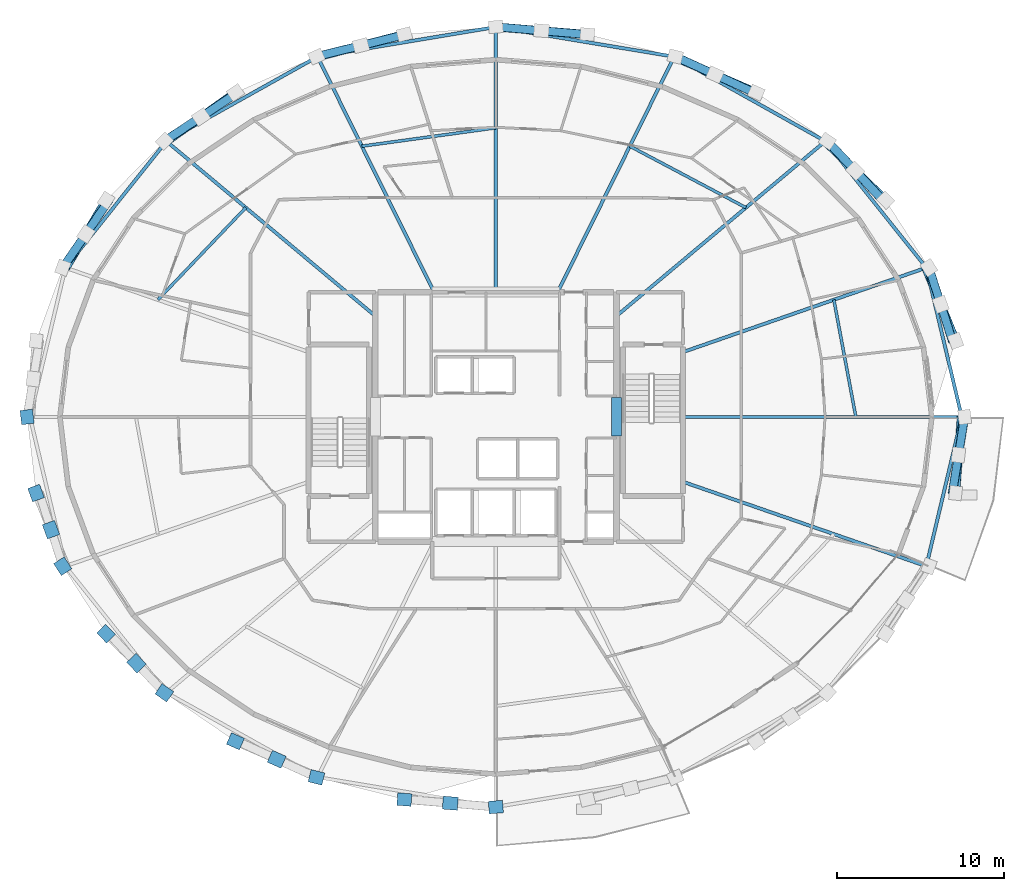
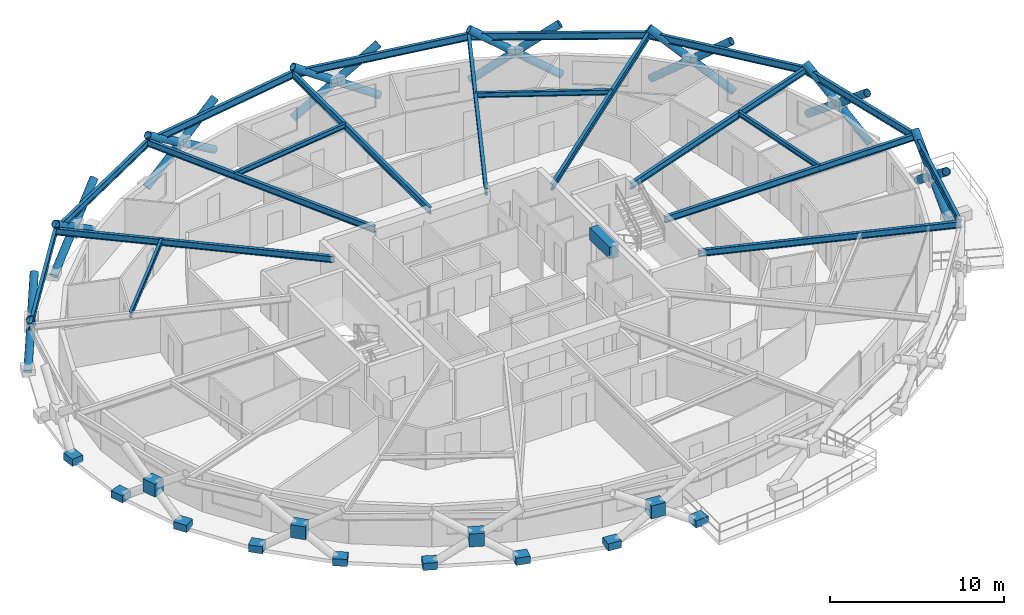
# One storey, part 8 of 16: 24 members, 21 beams, 13 plates.
"""IFC4 building model written with IfcOpenShell, lengths in metres."""

from ifc_helpers import new_model, si_unit, direction, frame, origin, origin_2d, place, context, subcontext, project, spatial, rectangle, hollow_circle, i_section, extrude, material, layer, layer_set, material_profile, profile_set, type_object, element, save


model = new_model("IFC4")

# Units and contexts
model_context = context("Model", 3, precision=1e-05, world=origin(), true_north=direction((0.0, 1.0)))
body_context = subcontext(model_context, "Body", "Model", "MODEL_VIEW")
ifc_project = project(units=[si_unit("LENGTHUNIT", "METRE"), si_unit("AREAUNIT", "SQUARE_METRE"), si_unit("VOLUMEUNIT", "CUBIC_METRE"), si_unit("PLANEANGLEUNIT", "RADIAN"), si_unit("MASSUNIT", "GRAM", prefix="KILO")], contexts=[model_context])

# Site, building, storey
site_placement = place(None, origin())
site = spatial("IfcSite", under=ifc_project, at=site_placement, CompositionType="ELEMENT")
building_placement = place(site_placement, origin())
building = spatial("IfcBuilding", under=site, at=building_placement, Name="Veldorina Hangang Commons", CompositionType="ELEMENT")
storey_placement = place(building_placement, frame((0.0, 0.0, 174.800048828125)))
storey = spatial("IfcBuildingStorey", under=building, at=storey_placement, Name="L45", CompositionType="ELEMENT", Elevation=174.800048828125)

# Beams
ifc_material_1 = material(Name="Concrete C60/75", Category="concrete")
ifc_material_profile_1 = material_profile(ifc_material_1, rectangle(XDim=0.60009765625, YDim=0.85009765625, at=origin_2d()), Name="RC-CB-600x850")
ifc_profile_set_1 = profile_set([ifc_material_profile_1], Name="Concrete C60/75")
beam_type_1 = type_object("IfcBeamType", Name="BM-CB850", PredefinedType="LINTEL", material=ifc_profile_set_1)
beam_1_placement = place(storey_placement, frame((39.199951171875, 22.85009765625, 2.925048828125), z_axis=(0.0, 1.0, 0.0), x_axis=(-1.0, 0.0, 0.0)))
element("IfcBeam", 1, at=beam_1_placement, inside=storey, type_object=beam_type_1, Name="L45 E core coupling lintel beam", PredefinedType="LINTEL", context=body_context, shape_type="SweptSolid", body=[
    extrude(rectangle(XDim=0.60009765625, YDim=0.85009765625, at=origin_2d()), origin(), (0.0, 0.0, 1.0), 2.2998046875),
])
ifc_material_2 = material(Name="Steel SM355-TMC", Category="steel")
ifc_material_profile_2 = material_profile(ifc_material_2, i_section(OverallWidth=0.199951171875, OverallDepth=0.449951171875, WebThickness=0.009033203125, FlangeThickness=0.013916015625, FilletRadius=0.01611328125, at=origin_2d()), Name="H-450x200x9x14")
ifc_profile_set_2 = profile_set([ifc_material_profile_2], Name="Steel SM355-TMC")
beam_type_2 = type_object("IfcBeamType", Name="BM-FG450", PredefinedType="BEAM", material=ifc_profile_set_2)
beam_2_placement = place(storey_placement, frame((43.179931640625, 24.0, 3.125), z_axis=(1.0, 0.0, 0.0), x_axis=(0.0, 1.0, 0.0)))
element("IfcBeam", 2, at=beam_2_placement, inside=storey, type_object=beam_type_2, Name="L45 radial floor girder 01", PredefinedType="BEAM", context=body_context, shape_type="SweptSolid", body=[
    extrude(i_section(OverallWidth=0.199951171875, OverallDepth=0.449951171875, WebThickness=0.009033203125, FlangeThickness=0.013916015625, FilletRadius=0.01611328125, at=origin_2d()), origin(), (0.0, 0.0, 1.0), 16.6474609375),
])
beam_3_placement = place(storey_placement, frame((43.179931640625, 27.875732421875, 3.125), z_axis=(0.944833643495, 0.327550585588, 0.0), x_axis=(-0.327550585588, 0.944833643495, 0.0)))
element("IfcBeam", 3, at=beam_3_placement, inside=storey, type_object=beam_type_2, Name="L45 radial floor girder 02", PredefinedType="BEAM", context=body_context, shape_type="SweptSolid", body=[
    extrude(i_section(OverallWidth=0.199951171875, OverallDepth=0.449951171875, WebThickness=0.009033203125, FlangeThickness=0.013916015625, FilletRadius=0.01611328125, at=origin_2d()), origin(), (0.0, 0.0, 1.0), 15.37744140625),
])
beam_4_placement = place(storey_placement, frame((39.199951171875, 30.02587890625, 3.125), z_axis=(0.766864155204, 0.641809447939, 0.0), x_axis=(-0.641809447939, 0.766864155204, 0.0)))
element("IfcBeam", 4, at=beam_4_placement, inside=storey, type_object=beam_type_2, Name="L45 radial floor girder 03", PredefinedType="BEAM", context=body_context, shape_type="SweptSolid", body=[
    extrude(i_section(OverallWidth=0.199951171875, OverallDepth=0.449951171875, WebThickness=0.009033203125, FlangeThickness=0.013916015625, FilletRadius=0.01611328125, at=origin_2d()), origin(), (0.0, 0.0, 1.0), 16.270263671875),
])
beam_5_placement = place(storey_placement, frame((35.687255859375, 31.449951171875, 3.125), z_axis=(0.44356380888, 0.896242794923, 0.0), x_axis=(-0.896242794923, 0.44356380888, 0.0)))
element("IfcBeam", 5, at=beam_5_placement, inside=storey, type_object=beam_type_2, Name="L45 radial floor girder 04", PredefinedType="BEAM", context=body_context, shape_type="SweptSolid", body=[
    extrude(i_section(OverallWidth=0.199951171875, OverallDepth=0.449951171875, WebThickness=0.009033203125, FlangeThickness=0.013916015625, FilletRadius=0.01611328125, at=origin_2d()), origin(), (0.0, 0.0, 1.0), 15.6953125),
])
beam_6_placement = place(storey_placement, frame((32.0, 31.449951171875, 3.125), z_axis=(0.0, 1.0, 0.0), x_axis=(-1.0, 0.0, 0.0)))
element("IfcBeam", 6, at=beam_6_placement, inside=storey, type_object=beam_type_2, Name="L45 radial floor girder 05", PredefinedType="BEAM", context=body_context, shape_type="SweptSolid", body=[
    extrude(i_section(OverallWidth=0.199951171875, OverallDepth=0.449951171875, WebThickness=0.009033203125, FlangeThickness=0.013916015625, FilletRadius=0.01611328125, at=origin_2d()), origin(), (0.0, 0.0, 1.0), 15.839599609375),
])
beam_7_placement = place(storey_placement, frame((28.312744140625, 31.449951171875, 3.125), z_axis=(-0.44356380888, 0.896242794923, 0.0), x_axis=(-0.896242794923, -0.44356380888, 0.0)))
element("IfcBeam", 7, at=beam_7_placement, inside=storey, type_object=beam_type_2, Name="L45 radial floor girder 06", PredefinedType="BEAM", context=body_context, shape_type="SweptSolid", body=[
    extrude(i_section(OverallWidth=0.199951171875, OverallDepth=0.449951171875, WebThickness=0.009033203125, FlangeThickness=0.013916015625, FilletRadius=0.01611328125, at=origin_2d()), origin(), (0.0, 0.0, 1.0), 15.6953125),
])
beam_8_placement = place(storey_placement, frame((24.800048828125, 30.02587890625, 3.125), z_axis=(-0.766864155204, 0.641809447939, 0.0), x_axis=(-0.641809447939, -0.766864155204, 0.0)))
element("IfcBeam", 8, at=beam_8_placement, inside=storey, type_object=beam_type_2, Name="L45 radial floor girder 07", PredefinedType="BEAM", context=body_context, shape_type="SweptSolid", body=[
    extrude(i_section(OverallWidth=0.199951171875, OverallDepth=0.449951171875, WebThickness=0.009033203125, FlangeThickness=0.013916015625, FilletRadius=0.01611328125, at=origin_2d()), origin(), (0.0, 0.0, 1.0), 16.270263671875),
])
beam_9_placement = place(storey_placement, frame((43.179931640625, 20.124267578125, 3.125), z_axis=(0.944833643495, -0.327550585588, 0.0), x_axis=(0.327550585588, 0.944833643495, 0.0)))
element("IfcBeam", 9, at=beam_9_placement, inside=storey, type_object=beam_type_2, Name="L45 radial floor girder 16", PredefinedType="BEAM", context=body_context, shape_type="SweptSolid", body=[
    extrude(i_section(OverallWidth=0.199951171875, OverallDepth=0.449951171875, WebThickness=0.009033203125, FlangeThickness=0.013916015625, FilletRadius=0.01611328125, at=origin_2d()), origin(), (0.0, 0.0, 1.0), 15.37744140625),
])
ifc_material_profile_3 = material_profile(ifc_material_2, i_section(OverallWidth=0.175048828125, OverallDepth=0.35009765625, WebThickness=0.007080078125, FlangeThickness=0.010986328125, FilletRadius=0.012939453125, at=origin_2d()), Name="H-350x175x7x11")
ifc_profile_set_3 = profile_set([ifc_material_profile_3], Name="Steel SM355-TMC")
beam_type_3 = type_object("IfcBeamType", Name="BM-JST350", PredefinedType="JOIST", material=ifc_profile_set_3)
beam_10_placement = place(storey_placement, frame((53.501220703125, 24.0, 3.175048828125), z_axis=(-0.184425160313, 0.982846559868, 0.0), x_axis=(-0.982846559868, -0.184425160313, 0.0)))
element("IfcBeam", 10, at=beam_10_placement, inside=storey, type_object=beam_type_3, Name="L45 secondary floor joist 01", PredefinedType="JOIST", context=body_context, shape_type="SweptSolid", body=[
    extrude(i_section(OverallWidth=0.175048828125, OverallDepth=0.35009765625, WebThickness=0.007080078125, FlangeThickness=0.010986328125, FilletRadius=0.012939453125, at=origin_2d()), origin(), (0.0, 0.0, 1.0), 7.12060546875),
])
beam_11_placement = place(storey_placement, frame((46.935791015625, 36.5, 3.175048828125), z_axis=(-0.883712199692, 0.46803071279, 0.0), x_axis=(-0.46803071279, -0.883712199692, 0.0)))
element("IfcBeam", 11, at=beam_11_placement, inside=storey, type_object=beam_type_3, Name="L45 secondary floor joist 03", PredefinedType="JOIST", context=body_context, shape_type="SweptSolid", body=[
    extrude(i_section(OverallWidth=0.175048828125, OverallDepth=0.35009765625, WebThickness=0.007080078125, FlangeThickness=0.010986328125, FilletRadius=0.012939453125, at=origin_2d()), origin(), (0.0, 0.0, 1.0), 7.84423828125),
])
beam_12_placement = place(storey_placement, frame((32.0, 41.2705078125, 3.175048828125), z_axis=(-0.990701918112, -0.136050393049, 0.0), x_axis=(0.136050393049, -0.990701918112, 0.0)))
element("IfcBeam", 12, at=beam_12_placement, inside=storey, type_object=beam_type_3, Name="L45 secondary floor joist 05", PredefinedType="JOIST", context=body_context, shape_type="SweptSolid", body=[
    extrude(i_section(OverallWidth=0.175048828125, OverallDepth=0.35009765625, WebThickness=0.007080078125, FlangeThickness=0.010986328125, FilletRadius=0.012939453125, at=origin_2d()), origin(), (0.0, 0.0, 1.0), 8.078857421875),
])
beam_13_placement = place(storey_placement, frame((17.064208984375, 36.5, 3.175048828125), z_axis=(-0.690530710858, -0.723303074349, 0.0), x_axis=(0.723303074349, -0.690530710858, 0.0)))
element("IfcBeam", 13, at=beam_13_placement, inside=storey, type_object=beam_type_3, Name="L45 secondary floor joist 07", PredefinedType="JOIST", context=body_context, shape_type="SweptSolid", body=[
    extrude(i_section(OverallWidth=0.175048828125, OverallDepth=0.35009765625, WebThickness=0.007080078125, FlangeThickness=0.010986328125, FilletRadius=0.012939453125, at=origin_2d()), origin(), (0.0, 0.0, 1.0), 7.60595703125),
])
ifc_material_3 = material(Name="Steel SM420-TMC", Category="steel")
ifc_material_profile_4 = material_profile(ifc_material_3, i_section(OverallWidth=0.199951171875, OverallDepth=0.5, WebThickness=0.010009765625, FlangeThickness=0.01611328125, FilletRadius=0.01611328125, at=origin_2d()), Name="H-500x200x10x16")
ifc_profile_set_4 = profile_set([ifc_material_profile_4], Name="Steel SM420-TMC")
beam_type_4 = type_object("IfcBeamType", Name="BM-RB500", PredefinedType="BEAM", material=ifc_profile_set_4)
beam_14_placement = place(storey_placement, frame((59.827392578125, 24.0, 3.099853515625), z_axis=(-0.231244603609, 0.972895643582, 0.0), x_axis=(-0.972895643582, -0.231244603609, 0.0)))
element("IfcBeam", 14, at=beam_14_placement, inside=storey, type_object=beam_type_4, Name="L45 perimeter hoop ring beam 00", PredefinedType="BEAM", context=body_context, shape_type="SweptSolid", body=[
    extrude(i_section(OverallWidth=0.199951171875, OverallDepth=0.5, WebThickness=0.010009765625, FlangeThickness=0.01611328125, FilletRadius=0.01611328125, at=origin_2d()), origin(), (0.0, 0.0, 1.0), 9.160888671875),
])
beam_15_placement = place(storey_placement, frame((57.708984375, 32.91259765625, 3.099853515625), z_axis=(-0.623903289365, 0.781501558233, 0.0), x_axis=(-0.781501558233, -0.623903289365, 0.0)))
element("IfcBeam", 15, at=beam_15_placement, inside=storey, type_object=beam_type_4, Name="L45 perimeter hoop ring beam 02", PredefinedType="BEAM", context=body_context, shape_type="SweptSolid", body=[
    extrude(i_section(OverallWidth=0.199951171875, OverallDepth=0.5, WebThickness=0.010009765625, FlangeThickness=0.01611328125, FilletRadius=0.01611328125, at=origin_2d()), origin(), (0.0, 0.0, 1.0), 9.668212890625),
])
beam_16_placement = place(storey_placement, frame((51.677001953125, 40.46826171875, 3.099853515625), z_axis=(-0.872794447993, 0.488087954731, 0.0), x_axis=(-0.488087954731, -0.872794447993, 0.0)))
element("IfcBeam", 16, at=beam_16_placement, inside=storey, type_object=beam_type_4, Name="L45 perimeter hoop ring beam 04", PredefinedType="BEAM", context=body_context, shape_type="SweptSolid", body=[
    extrude(i_section(OverallWidth=0.199951171875, OverallDepth=0.5, WebThickness=0.010009765625, FlangeThickness=0.01611328125, FilletRadius=0.01611328125, at=origin_2d()), origin(), (0.0, 0.0, 1.0), 10.343505859375),
])
for number, where, z_axis, x_axis, name in (
    (17, (42.649169921875, 45.516845703125, 3.099853515625), (-0.986426298572, 0.164204620783, 0.0), (-0.164204620783, -0.986426298572, 0.0), "L45 perimeter hoop ring beam 06"),
    (18, (32.0, 47.28955078125, 3.099853515625), (-0.986426298572, -0.164204620783, 0.0), (0.164204620783, -0.986426298572, 0.0), "L45 perimeter hoop ring beam 08"),
):
    element("IfcBeam", number, at=place(storey_placement, frame(where, z_axis=z_axis, x_axis=x_axis)), inside=storey, type_object=beam_type_4, Name=name, PredefinedType="BEAM", context=body_context, shape_type="SweptSolid", body=[
        extrude(i_section(OverallWidth=0.199951171875, OverallDepth=0.5, WebThickness=0.010009765625, FlangeThickness=0.01611328125, FilletRadius=0.01611328125, at=origin_2d()), origin(), (0.0, 0.0, 1.0), 10.795654296875),
    ])
beam_17_placement = place(storey_placement, frame((21.350830078125, 45.516845703125, 3.099853515625), z_axis=(-0.872794447993, -0.488087954731, 0.0), x_axis=(0.488087954731, -0.872794447993, 0.0)))
element("IfcBeam", 19, at=beam_17_placement, inside=storey, type_object=beam_type_4, Name="L45 perimeter hoop ring beam 10", PredefinedType="BEAM", context=body_context, shape_type="SweptSolid", body=[
    extrude(i_section(OverallWidth=0.199951171875, OverallDepth=0.5, WebThickness=0.010009765625, FlangeThickness=0.01611328125, FilletRadius=0.01611328125, at=origin_2d()), origin(), (0.0, 0.0, 1.0), 10.343505859375),
])
beam_18_placement = place(storey_placement, frame((12.322998046875, 40.46826171875, 3.099853515625), z_axis=(-0.623903289365, -0.781501558233, 0.0), x_axis=(0.781501558233, -0.623903289365, 0.0)))
element("IfcBeam", 20, at=beam_18_placement, inside=storey, type_object=beam_type_4, Name="L45 perimeter hoop ring beam 12", PredefinedType="BEAM", context=body_context, shape_type="SweptSolid", body=[
    extrude(i_section(OverallWidth=0.199951171875, OverallDepth=0.5, WebThickness=0.010009765625, FlangeThickness=0.01611328125, FilletRadius=0.01611328125, at=origin_2d()), origin(), (0.0, 0.0, 1.0), 9.668212890625),
])
beam_19_placement = place(storey_placement, frame((57.708984375, 15.08740234375, 3.099853515625), z_axis=(0.231244603609, 0.972895643582, 0.0), x_axis=(-0.972895643582, 0.231244603609, 0.0)))
element("IfcBeam", 21, at=beam_19_placement, inside=storey, type_object=beam_type_4, Name="L45 perimeter hoop ring beam 30", PredefinedType="BEAM", context=body_context, shape_type="SweptSolid", body=[
    extrude(i_section(OverallWidth=0.199951171875, OverallDepth=0.5, WebThickness=0.010009765625, FlangeThickness=0.01611328125, FilletRadius=0.01611328125, at=origin_2d()), origin(), (0.0, 0.0, 1.0), 9.160888671875),
])

# Members
ifc_material_profile_5 = material_profile(ifc_material_3, hollow_circle(Radius=0.25, WallThickness=0.02490234375, at=origin_2d()), Name="CHS-500x25")
ifc_profile_set_5 = profile_set([ifc_material_profile_5], Name="Steel SM420-TMC")
member_type = type_object("IfcMemberType", Name="DG-CHS500", PredefinedType="BRACE", material=ifc_profile_set_5)
member_1_placement = place(storey_placement, frame((59.4619140625, 28.545654296875, 0.0), z_axis=(-0.299836461681, 0.736070731736, 0.606875583731), x_axis=(-0.926111792913, -0.377249184264, 0.0)))
element("IfcMember", 22, at=member_1_placement, inside=storey, type_object=member_type, Name="L45 continuous perimeter diagrid brace 01", PredefinedType="BRACE", context=body_context, shape_type="SweptSolid", body=[
    extrude(hollow_circle(Radius=0.25, WallThickness=0.02490234375, at=origin_2d()), origin(), (0.0, 0.0, 1.0), 5.931884765625),
])
member_2_placement = place(storey_placement, frame((57.86865234375, 32.91650390625, 0.0), z_axis=(0.240982781529, -0.749045750987, 0.617136744923), x_axis=(0.951947786648, 0.306260365531, 0.0)))
element("IfcMember", 23, at=member_2_placement, inside=storey, type_object=member_type, Name="L45 split perimeter diagrid lower brace 02", PredefinedType="BRACE", context=body_context, shape_type="SweptSolid", body=[
    extrude(hollow_circle(Radius=0.25, WallThickness=0.02490234375, at=origin_2d()), origin(), (0.0, 0.0, 1.0), 2.918701171875),
])
member_3_placement = place(storey_placement, frame((58.572021484375, 30.730224609375, 1.80126953125), z_axis=(0.237838886138, -0.750197444376, 0.616957420486), x_axis=(0.953241105794, 0.302210843989, 0.0)))
element("IfcMember", 24, at=member_3_placement, inside=storey, type_object=member_type, Name="L45 split perimeter diagrid upper brace 02", PredefinedType="BRACE", context=body_context, shape_type="SweptSolid", body=[
    extrude(hollow_circle(Radius=0.25, WallThickness=0.02490234375, at=origin_2d()), origin(), (0.0, 0.0, 1.0), 2.915283203125),
])
member_4_placement = place(storey_placement, frame((55.281005859375, 36.94482421875, 0.0), z_axis=(-0.584049696546, 0.567680723039, 0.580193544133), x_axis=(-0.696986632589, -0.717084119188, 0.0)))
element("IfcMember", 25, at=member_4_placement, inside=storey, type_object=member_type, Name="L45 continuous perimeter diagrid brace 03", PredefinedType="BRACE", context=body_context, shape_type="SweptSolid", body=[
    extrude(hollow_circle(Radius=0.25, WallThickness=0.02490234375, at=origin_2d()), origin(), (0.0, 0.0, 1.0), 6.20458984375),
])
member_5_placement = place(storey_placement, frame((51.799072265625, 40.4755859375, 0.0), z_axis=(0.550993044386, -0.583921880201, 0.596189485701), x_axis=(0.727316959956, 0.686301711903, 0.0)))
element("IfcMember", 26, at=member_5_placement, inside=storey, type_object=member_type, Name="L45 split perimeter diagrid lower brace 04", PredefinedType="BRACE", context=body_context, shape_type="SweptSolid", body=[
    extrude(hollow_circle(Radius=0.25, WallThickness=0.02490234375, at=origin_2d()), origin(), (0.0, 0.0, 1.0), 3.02490234375),
])
member_6_placement = place(storey_placement, frame((53.4658203125, 38.709228515625, 1.803466796875), z_axis=(0.547060468457, -0.587727483882, 0.596071512943), x_axis=(0.731977253721, 0.681329068832, 0.0)))
element("IfcMember", 27, at=member_6_placement, inside=storey, type_object=member_type, Name="L45 split perimeter diagrid upper brace 04", PredefinedType="BRACE", context=body_context, shape_type="SweptSolid", body=[
    extrude(hollow_circle(Radius=0.25, WallThickness=0.02490234375, at=origin_2d()), origin(), (0.0, 0.0, 1.0), 3.013671875),
])
member_7_placement = place(storey_placement, frame((47.555908203125, 43.373291015625, 0.0), z_axis=(-0.761252152264, 0.331569115868, 0.557276486204), x_axis=(-0.399323541247, -0.916810072701, 0.0)))
element("IfcMember", 28, at=member_7_placement, inside=storey, type_object=member_type, Name="L45 continuous perimeter diagrid brace 05", PredefinedType="BRACE", context=body_context, shape_type="SweptSolid", body=[
    extrude(hollow_circle(Radius=0.25, WallThickness=0.02490234375, at=origin_2d()), origin(), (0.0, 0.0, 1.0), 6.459716796875),
])
member_8_placement = place(storey_placement, frame((42.715087890625, 45.5263671875, 0.0), z_axis=(0.748577727601, -0.340115667105, 0.569168444952), x_axis=(0.41365483263, 0.910433786413, 0.0)))
element("IfcMember", 29, at=member_8_placement, inside=storey, type_object=member_type, Name="L45 split perimeter diagrid lower brace 06", PredefinedType="BRACE", context=body_context, shape_type="SweptSolid", body=[
    extrude(hollow_circle(Radius=0.25, WallThickness=0.02490234375, at=origin_2d()), origin(), (0.0, 0.0, 1.0), 3.172119140625),
])
member_9_placement = place(storey_placement, frame((45.089599609375, 44.447509765625, 1.805419921875), z_axis=(0.746898980393, -0.343870865844, 0.569117510459), x_axis=(0.418204041061, 0.90835311418, 0.0)))
element("IfcMember", 30, at=member_9_placement, inside=storey, type_object=member_type, Name="L45 split perimeter diagrid upper brace 06", PredefinedType="BRACE", context=body_context, shape_type="SweptSolid", body=[
    extrude(hollow_circle(Radius=0.25, WallThickness=0.02490234375, at=origin_2d()), origin(), (0.0, 0.0, 1.0), 3.153076171875),
])
member_10_placement = place(storey_placement, frame((37.46240234375, 46.852294921875, 0.0), z_axis=(-0.83313947958, 0.066430715633, 0.549058801574), x_axis=(-0.079483141114, -0.996836210357, 0.0)))
element("IfcMember", 31, at=member_10_placement, inside=storey, type_object=member_type, Name="L45 continuous perimeter diagrid brace 07", PredefinedType="BRACE", context=body_context, shape_type="SweptSolid", body=[
    extrude(hollow_circle(Radius=0.25, WallThickness=0.02490234375, at=origin_2d()), origin(), (0.0, 0.0, 1.0), 6.556396484375),
])
member_11_placement = place(storey_placement, frame((32.0, 47.300048828125, 0.0), z_axis=(0.831119565723, -0.070011776461, 0.551668939337), x_axis=(0.083940615634, 0.996470758752, 0.0)))
element("IfcMember", 32, at=member_11_placement, inside=storey, type_object=member_type, Name="L45 split perimeter diagrid lower brace 08", PredefinedType="BRACE", context=body_context, shape_type="SweptSolid", body=[
    extrude(hollow_circle(Radius=0.25, WallThickness=0.02490234375, at=origin_2d()), origin(), (0.0, 0.0, 1.0), 3.2744140625),
])
member_12_placement = place(storey_placement, frame((34.721435546875, 47.07080078125, 1.806396484375), z_axis=(0.831064462718, -0.070888664752, 0.551639969561), x_axis=(0.084990008364, 0.996381803566, 0.0)))
element("IfcMember", 33, at=member_12_placement, inside=storey, type_object=member_type, Name="L45 split perimeter diagrid upper brace 08", PredefinedType="BRACE", context=body_context, shape_type="SweptSolid", body=[
    extrude(hollow_circle(Radius=0.25, WallThickness=0.02490234375, at=origin_2d()), origin(), (0.0, 0.0, 1.0), 3.251220703125),
])
member_13_placement = place(storey_placement, frame((26.53759765625, 46.852294921875, 0.0), z_axis=(-0.803105658306, -0.207471802771, 0.558548791648), x_axis=(0.250125243423, -0.968213490199, 0.0)))
element("IfcMember", 34, at=member_13_placement, inside=storey, type_object=member_type, Name="L45 continuous perimeter diagrid brace 09", PredefinedType="BRACE", context=body_context, shape_type="SweptSolid", body=[
    extrude(hollow_circle(Radius=0.25, WallThickness=0.02490234375, at=origin_2d()), origin(), (0.0, 0.0, 1.0), 6.445068359375),
])
member_14_placement = place(storey_placement, frame((21.284912109375, 45.5263671875, 0.0), z_axis=(0.810239393097, 0.19982280464, 0.550983640972), x_axis=(-0.239447529046, 0.970909306184, 0.0)))
element("IfcMember", 35, at=member_14_placement, inside=storey, type_object=member_type, Name="L45 split perimeter diagrid lower brace 10", PredefinedType="BRACE", context=body_context, shape_type="SweptSolid", body=[
    extrude(hollow_circle(Radius=0.25, WallThickness=0.02490234375, at=origin_2d()), origin(), (0.0, 0.0, 1.0), 3.278076171875),
])
member_15_placement = place(storey_placement, frame((23.94091796875, 46.181396484375, 1.80615234375), z_axis=(0.809611546168, 0.202402886542, 0.550964804529), x_axis=(-0.242535625036, 0.970142500145, 0.0)))
element("IfcMember", 36, at=member_15_placement, inside=storey, type_object=member_type, Name="L45 split perimeter diagrid upper brace 10", PredefinedType="BRACE", context=body_context, shape_type="SweptSolid", body=[
    extrude(hollow_circle(Radius=0.25, WallThickness=0.02490234375, at=origin_2d()), origin(), (0.0, 0.0, 1.0), 3.255615234375),
])
member_16_placement = place(storey_placement, frame((16.444091796875, 43.373291015625, 0.0), z_axis=(-0.663351612561, -0.470059979518, 0.582244153057), x_axis=(0.578169608279, -0.81591660362, 0.0)))
element("IfcMember", 37, at=member_16_placement, inside=storey, type_object=member_type, Name="L45 continuous perimeter diagrid brace 11", PredefinedType="BRACE", context=body_context, shape_type="SweptSolid", body=[
    extrude(hollow_circle(Radius=0.25, WallThickness=0.02490234375, at=origin_2d()), origin(), (0.0, 0.0, 1.0), 6.1826171875),
])
member_17_placement = place(storey_placement, frame((12.200927734375, 40.4755859375, 0.0), z_axis=(0.687682060273, 0.453030418543, 0.567324266935), x_axis=(-0.550131693268, 0.83507791257, 0.0)))
element("IfcMember", 38, at=member_17_placement, inside=storey, type_object=member_type, Name="L45 split perimeter diagrid lower brace 12", PredefinedType="BRACE", context=body_context, shape_type="SweptSolid", body=[
    extrude(hollow_circle(Radius=0.25, WallThickness=0.02490234375, at=origin_2d()), origin(), (0.0, 0.0, 1.0), 3.1806640625),
])
member_18_placement = place(storey_placement, frame((14.38818359375, 41.91650390625, 1.804443359375), z_axis=(0.684875579834, 0.457200933434, 0.567373551211), x_axis=(-0.555218998083, 0.831704192708, 0.0)))
element("IfcMember", 39, at=member_18_placement, inside=storey, type_object=member_type, Name="L45 split perimeter diagrid upper brace 12", PredefinedType="BRACE", context=body_context, shape_type="SweptSolid", body=[
    extrude(hollow_circle(Radius=0.25, WallThickness=0.02490234375, at=origin_2d()), origin(), (0.0, 0.0, 1.0), 3.164306640625),
])
member_19_placement = place(storey_placement, frame((8.718994140625, 36.94482421875, 0.0), z_axis=(-0.406099454361, -0.681743586035, 0.608530127495), x_axis=(0.859126843306, -0.511762705862, 0.0)))
element("IfcMember", 40, at=member_19_placement, inside=storey, type_object=member_type, Name="L45 continuous perimeter diagrid brace 13", PredefinedType="BRACE", context=body_context, shape_type="SweptSolid", body=[
    extrude(hollow_circle(Radius=0.25, WallThickness=0.02490234375, at=origin_2d()), origin(), (0.0, 0.0, 1.0), 5.915771484375),
])
member_20_placement = place(storey_placement, frame((6.13134765625, 32.91650390625, 0.0), z_axis=(0.456536410041, 0.662311767078, 0.594068707724), x_axis=(-0.823346582472, 0.567538901867, 0.0)))
element("IfcMember", 41, at=member_20_placement, inside=storey, type_object=member_type, Name="L45 split perimeter diagrid lower brace 14", PredefinedType="BRACE", context=body_context, shape_type="SweptSolid", body=[
    extrude(hollow_circle(Radius=0.25, WallThickness=0.02490234375, at=origin_2d()), origin(), (0.0, 0.0, 1.0), 3.03369140625),
])
member_21_placement = place(storey_placement, frame((7.516357421875, 34.92578125, 1.80224609375), z_axis=(0.452502396725, 0.665036511021, 0.594111117526), x_axis=(-0.826766014169, 0.562545960624, 0.0)))
element("IfcMember", 42, at=member_21_placement, inside=storey, type_object=member_type, Name="L45 split perimeter diagrid upper brace 14", PredefinedType="BRACE", context=body_context, shape_type="SweptSolid", body=[
    extrude(hollow_circle(Radius=0.25, WallThickness=0.02490234375, at=origin_2d()), origin(), (0.0, 0.0, 1.0), 3.025634765625),
])
member_22_placement = place(storey_placement, frame((59.4619140625, 19.454345703125, 0.0), z_axis=(0.058132089128, 0.782618486971, 0.619781384091), x_axis=(-0.997252681133, 0.074074894356, 0.0)))
element("IfcMember", 43, at=member_22_placement, inside=storey, type_object=member_type, Name="L45 continuous perimeter diagrid brace 31", PredefinedType="BRACE", context=body_context, shape_type="SweptSolid", body=[
    extrude(hollow_circle(Radius=0.25, WallThickness=0.02490234375, at=origin_2d()), origin(), (0.0, 0.0, 1.0), 5.808349609375),
])
member_23_placement = place(storey_placement, frame((60.0, 24.0, 0.0), z_axis=(-0.126308685295, -0.777483421986, 0.616088990776), x_axis=(0.98705924019, -0.160356029995, 0.0)))
element("IfcMember", 44, at=member_23_placement, inside=storey, type_object=member_type, Name="L45 split perimeter diagrid lower brace 00", PredefinedType="BRACE", context=body_context, shape_type="SweptSolid", body=[
    extrude(hollow_circle(Radius=0.25, WallThickness=0.02490234375, at=origin_2d()), origin(), (0.0, 0.0, 1.0), 2.922607421875),
])
member_24_placement = place(storey_placement, frame((59.630859375, 21.727783203125, 1.800537109375), z_axis=(-0.125148190599, -0.777640927825, 0.616127030539), x_axis=(0.987296498118, -0.158888718306, 0.0)))
element("IfcMember", 45, at=member_24_placement, inside=storey, type_object=member_type, Name="L45 split perimeter diagrid upper brace 00", PredefinedType="BRACE", context=body_context, shape_type="SweptSolid", body=[
    extrude(hollow_circle(Radius=0.25, WallThickness=0.02490234375, at=origin_2d()), origin(), (0.0, 0.0, 1.0), 2.92041015625),
])

# Plates
ifc_material_4 = material(Name="Steel SM460-TMC", Category="steel")
ifc_layer = layer(ifc_material_4, 0.035888671875)
ifc_layer_set = layer_set([ifc_layer], Name="Steel SM460-TMC")
plate_type = type_object("IfcPlateType", Name="PL-STAR-36", PredefinedType="USERDEFINED", material=ifc_layer_set)
for number, where, z_axis, x_axis, name in (
    (46, (4.0, 24.0, -0.090087890625), (0.0, 0.0, 1.0), (0.117537397458, -0.993068456955, 0.0), "L45 diagrid star-node gusset plate 16"),
    (47, (4.5380859375, 19.454345703125, -0.090087890625), (0.0, 0.0, 1.0), (0.342495720671, -0.939519388476, 0.0), "L45 diagrid star-node gusset plate 17"),
):
    element("IfcPlate", number, at=place(storey_placement, frame(where, z_axis=z_axis, x_axis=x_axis)), inside=storey, type_object=plate_type, Name=name, ObjectType="GUSSET PLATE", PredefinedType="USERDEFINED", context=body_context, shape_type="SweptSolid", body=[
        extrude(rectangle(XDim=0.85009765625, YDim=0.75, at=origin_2d()), origin(), (0.0, 0.0, 1.0), 0.5),
    ])
plate_1_placement = place(storey_placement, frame((5.427978515625, 17.269775390625, 1.351318359375), z_axis=(0.0, 0.0, 1.0), x_axis=(0.342495720671, -0.939519388476, 0.0)))
element("IfcPlate", 48, at=plate_1_placement, inside=storey, type_object=plate_type, Name="L45 diagrid X-crossing star-node gusset plate 17", ObjectType="GUSSET PLATE", PredefinedType="USERDEFINED", context=body_context, shape_type="SweptSolid", body=[
    extrude(rectangle(XDim=0.89990234375, YDim=0.780029296875, at=origin_2d()), origin(), (0.0, 0.0, 1.0), 0.89990234375),
])
for number, where, z_axis, x_axis, name in (
    (49, (6.13134765625, 15.08349609375, -0.090087890625), (0.0, 0.0, 1.0), (0.540445924222, -0.841378751213, 0.0), "L45 diagrid star-node gusset plate 18"),
    (50, (8.718994140625, 11.05517578125, -0.090087890625), (0.0, 0.0, 1.0), (0.702177906965, -0.712001535792, 0.0), "L45 diagrid star-node gusset plate 19"),
):
    element("IfcPlate", number, at=place(storey_placement, frame(where, z_axis=z_axis, x_axis=x_axis)), inside=storey, type_object=plate_type, Name=name, ObjectType="GUSSET PLATE", PredefinedType="USERDEFINED", context=body_context, shape_type="SweptSolid", body=[
        extrude(rectangle(XDim=0.85009765625, YDim=0.75, at=origin_2d()), origin(), (0.0, 0.0, 1.0), 0.5),
    ])
plate_2_placement = place(storey_placement, frame((10.5341796875, 9.290771484375, 1.353515625), z_axis=(0.0, 0.0, 1.0), x_axis=(0.702177906965, -0.712001535792, 0.0)))
element("IfcPlate", 51, at=plate_2_placement, inside=storey, type_object=plate_type, Name="L45 diagrid X-crossing star-node gusset plate 19", ObjectType="GUSSET PLATE", PredefinedType="USERDEFINED", context=body_context, shape_type="SweptSolid", body=[
    extrude(rectangle(XDim=0.89990234375, YDim=0.780029296875, at=origin_2d()), origin(), (0.0, 0.0, 1.0), 0.89990234375),
])
for number, where, z_axis, x_axis, name in (
    (52, (12.200927734375, 7.5244140625, -0.090087890625), (0.0, 0.0, 1.0), (0.82580311972, -0.563958515726, 0.0), "L45 diagrid star-node gusset plate 20"),
    (53, (16.444091796875, 4.626708984375, -0.090087890625), (0.0, 0.0, 1.0), (0.913694473044, -0.406401783865, 0.0), "L45 diagrid star-node gusset plate 21"),
):
    element("IfcPlate", number, at=place(storey_placement, frame(where, z_axis=z_axis, x_axis=x_axis)), inside=storey, type_object=plate_type, Name=name, ObjectType="GUSSET PLATE", PredefinedType="USERDEFINED", context=body_context, shape_type="SweptSolid", body=[
        extrude(rectangle(XDim=0.85009765625, YDim=0.75, at=origin_2d()), origin(), (0.0, 0.0, 1.0), 0.5),
    ])
plate_3_placement = place(storey_placement, frame((18.910400390625, 3.552490234375, 1.35546875), z_axis=(0.0, 0.0, 1.0), x_axis=(0.913694473044, -0.406401783865, 0.0)))
element("IfcPlate", 54, at=plate_3_placement, inside=storey, type_object=plate_type, Name="L45 diagrid X-crossing star-node gusset plate 21", ObjectType="GUSSET PLATE", PredefinedType="USERDEFINED", context=body_context, shape_type="SweptSolid", body=[
    extrude(rectangle(XDim=0.89990234375, YDim=0.780029296875, at=origin_2d()), origin(), (0.0, 0.0, 1.0), 0.89990234375),
])
for number, where, z_axis, x_axis, name in (
    (55, (21.284912109375, 2.4736328125, -0.090087890625), (0.0, 0.0, 1.0), (0.969586476003, -0.244748984784, 0.0), "L45 diagrid star-node gusset plate 22"),
    (56, (26.53759765625, 1.147705078125, -0.090087890625), (0.0, 0.0, 1.0), (0.996658804115, -0.081677586767, 0.0), "L45 diagrid star-node gusset plate 23"),
):
    element("IfcPlate", number, at=place(storey_placement, frame(where, z_axis=z_axis, x_axis=x_axis)), inside=storey, type_object=plate_type, Name=name, ObjectType="GUSSET PLATE", PredefinedType="USERDEFINED", context=body_context, shape_type="SweptSolid", body=[
        extrude(rectangle(XDim=0.85009765625, YDim=0.75, at=origin_2d()), origin(), (0.0, 0.0, 1.0), 0.5),
    ])
plate_4_placement = place(storey_placement, frame((29.278564453125, 0.92919921875, 1.3564453125), z_axis=(0.0, 0.0, 1.0), x_axis=(0.996658804115, -0.081677586767, 0.0)))
element("IfcPlate", 57, at=plate_4_placement, inside=storey, type_object=plate_type, Name="L45 diagrid X-crossing star-node gusset plate 23", ObjectType="GUSSET PLATE", PredefinedType="USERDEFINED", context=body_context, shape_type="SweptSolid", body=[
    extrude(rectangle(XDim=0.89990234375, YDim=0.780029296875, at=origin_2d()), origin(), (0.0, 0.0, 1.0), 0.89990234375),
])
plate_5_placement = place(storey_placement, frame((32.0, 0.699951171875, -0.090087890625), z_axis=(0.0, 0.0, 1.0), x_axis=(0.996658804115, 0.081677586767, 0.0)))
element("IfcPlate", 58, at=plate_5_placement, inside=storey, type_object=plate_type, Name="L45 diagrid star-node gusset plate 24", ObjectType="GUSSET PLATE", PredefinedType="USERDEFINED", context=body_context, shape_type="SweptSolid", body=[
    extrude(rectangle(XDim=0.85009765625, YDim=0.75, at=origin_2d()), origin(), (0.0, 0.0, 1.0), 0.5),
])

save(model, "model.ifc")
